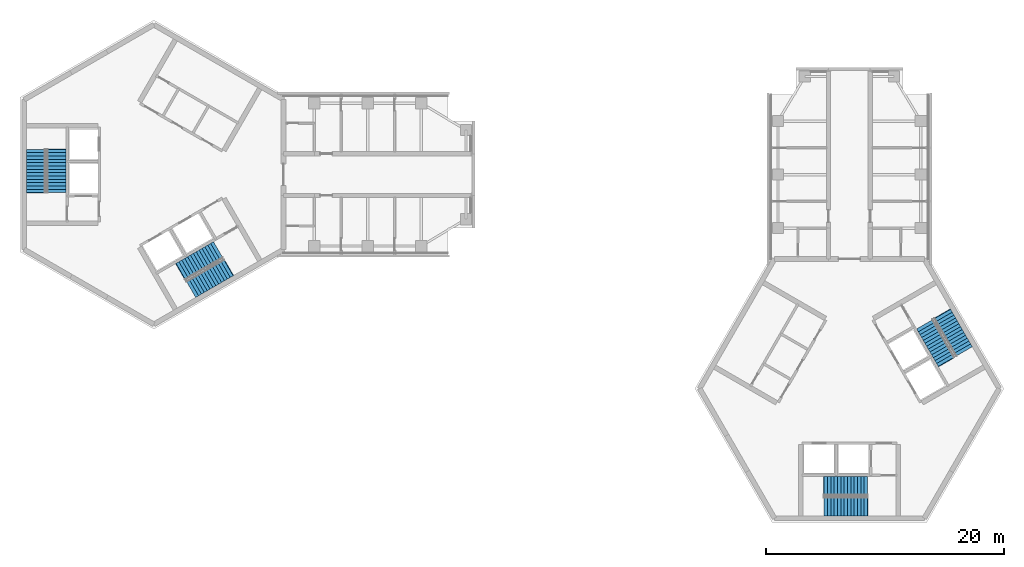
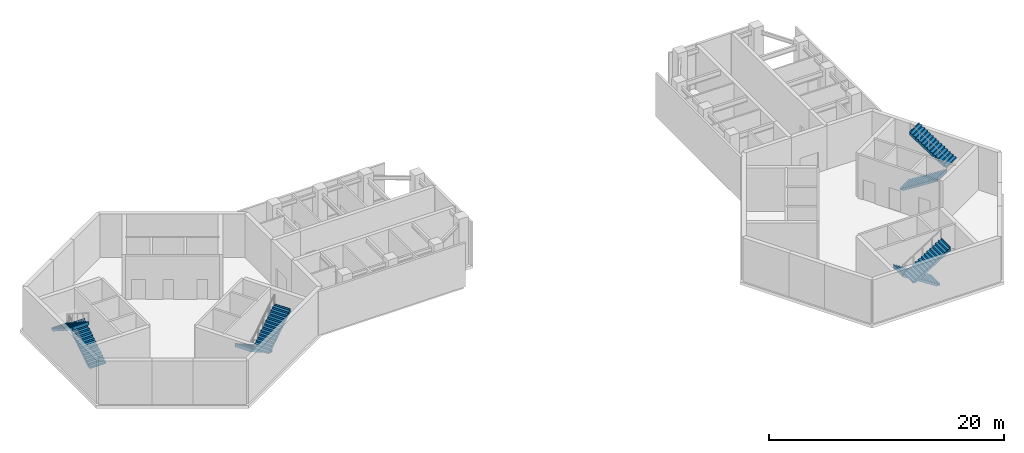
# One storey, part 7 of 8: 8 stair flights, 4 elements without a shape of their own.
"""IFC4 building model written with IfcOpenShell, lengths in metres."""

import ifcopenshell
import ifcopenshell.guid

model = None  # the IFC model being written
_history = None  # IfcOwnerHistory: only IFC2X3 demands one
_inside = {}  # id of a spatial element -> (the spatial element, [elements in it])
_under = {}  # id of a project, library or spatial element -> (it, [spatial elements below it])
_declared = {}  # id of a project -> (the project, [libraries it declares])
_typed = {}  # id of a type object -> (the type object, [elements of that type])
_made_of = {}  # id of a material, layer set ... -> (it, [elements and type objects made of it])


def new_model(schema):
    """Start an empty IFC model of exactly this schema.

    Asked for "IFC4X3", IfcOpenShell would pick the latest addendum, in which some entities
    have other attributes; the version numbers below select the first issue.
    IFC2X3 requires an IfcOwnerHistory on every rooted entity: one is made here for all.
    """
    global model, _history
    if schema == "IFC4X3":
        model = ifcopenshell.file(schema_version=(4, 3, 0, 0))
    else:
        model = ifcopenshell.file(schema=schema)
    _inside.clear()
    _under.clear()
    _declared.clear()
    _typed.clear()
    _made_of.clear()
    _history = None
    if model.schema == "IFC2X3":
        org = make("IfcOrganization", Name="unknown")
        user = make(
            "IfcPersonAndOrganization",
            ThePerson=make("IfcPerson", FamilyName="unknown"),
            TheOrganization=org,
        )
        app = make(
            "IfcApplication",
            ApplicationDeveloper=org,
            Version="unknown",
            ApplicationFullName="unknown",
            ApplicationIdentifier="unknown",
        )
        _history = make(
            "IfcOwnerHistory",
            OwningUser=user,
            OwningApplication=app,
            ChangeAction="ADDED",
            CreationDate=0,
        )
    return model


def make(cls, **values):
    """One entity of the class cls with the attributes given. An attribute that is None is left unset."""
    return model.create_entity(
        cls, **{name: value for name, value in values.items() if value is not None}
    )


def rooted(cls, **values):
    """An entity with a GlobalId (a new one), such as an element, a storey or a relation."""
    return make(cls, GlobalId=ifcopenshell.guid.new(), OwnerHistory=_history, **values)


def si_unit(unit_type, name, prefix=None):
    """IfcSIUnit, for example si_unit("LENGTHUNIT", "METRE", prefix="MILLI")."""
    return make("IfcSIUnit", UnitType=unit_type, Prefix=prefix, Name=name)


def assignment(units):
    """IfcUnitAssignment: the units of a project."""
    return None if units is None else make("IfcUnitAssignment", Units=units)


def point(xyz):
    """IfcCartesianPoint."""
    return None if xyz is None else make("IfcCartesianPoint", Coordinates=xyz)


def direction(xyz):
    """IfcDirection."""
    return None if xyz is None else make("IfcDirection", DirectionRatios=xyz)


def frame(location, z_axis=None, x_axis=None):
    """IfcAxis2Placement3D, a coordinate frame: its origin and axes. An axis left out is left unset."""
    return make(
        "IfcAxis2Placement3D",
        Location=point(location),
        Axis=direction(z_axis),
        RefDirection=direction(x_axis),
    )


def origin():
    """The frame at (0, 0, 0) with its axes left unset."""
    return frame((0.0, 0.0, 0.0))


def place(relative_to, where):
    """IfcLocalPlacement: puts the frame where relative to a parent placement (None: the world)."""
    return make(
        "IfcLocalPlacement", PlacementRelTo=relative_to, RelativePlacement=where
    )


def context(
    kind, dimensions, precision=None, world=None, true_north=None, identifier=None
):
    """IfcGeometricRepresentationContext, for example the 3D "Model" context."""
    return make(
        "IfcGeometricRepresentationContext",
        ContextIdentifier=identifier,
        ContextType=kind,
        CoordinateSpaceDimension=dimensions,
        Precision=precision,
        WorldCoordinateSystem=world,
        TrueNorth=true_north,
    )


def subcontext(parent, identifier, kind, view, scale=None):
    """IfcGeometricRepresentationSubContext, for example "Body" below "Model"."""
    return make(
        "IfcGeometricRepresentationSubContext",
        ContextIdentifier=identifier,
        ContextType=kind,
        ParentContext=parent,
        TargetScale=scale,
        TargetView=view,
    )


def project(units=None, contexts=None):
    """IfcProject with its units and contexts."""
    return rooted(
        "IfcProject",
        Name="project",
        RepresentationContexts=contexts,
        UnitsInContext=assignment(units),
    )


def spatial(cls, under=None, at=None, **own):
    """A site, building, storey or space (cls), placed at a placement, below another one or the project."""
    s = rooted(cls, ObjectPlacement=at, **own)
    if under is not None:
        _under.setdefault(under.id(), (under, []))[1].append(s)
    return s


def polyline(points):
    """IfcPolyline through the points."""
    return make("IfcPolyline", Points=[point(p) for p in points])


def outline(outer, holes=None, kind="AREA"):
    """IfcArbitraryClosedProfileDef: a profile drawn as a closed curve; with holes, ...WithVoids."""
    if holes is None:
        return make("IfcArbitraryClosedProfileDef", ProfileType=kind, OuterCurve=outer)
    return make(
        "IfcArbitraryProfileDefWithVoids",
        ProfileType=kind,
        OuterCurve=outer,
        InnerCurves=holes,
    )


def extrude(swept, where, along, depth):
    """IfcExtrudedAreaSolid: the profile swept, set in the frame where, extruded along a direction by depth."""
    return make(
        "IfcExtrudedAreaSolid",
        SweptArea=swept,
        Position=where,
        ExtrudedDirection=direction(along),
        Depth=depth,
    )


def shape(context_of_items, identifier, shape_type, items):
    """IfcShapeRepresentation: the items that make up one representation, for example the "Body"."""
    return make(
        "IfcShapeRepresentation",
        ContextOfItems=context_of_items,
        RepresentationIdentifier=identifier,
        RepresentationType=shape_type,
        Items=items,
    )


def material(Name=None, Category=None):
    """IfcMaterial."""
    return make("IfcMaterial", Name=Name, Category=Category)


def made_of(thing, what):
    """Note that an element or type object is made of a material, layer set ...; save() writes the relation."""
    if what is not None:
        _made_of.setdefault(what.id(), (what, []))[1].append(thing)
    return thing


def type_object(cls, material=None, **own):
    """A type object (cls), such as IfcWallType, which elements share."""
    return made_of(rooted(cls, **own), material)


def element(
    cls,
    number,
    at=None,
    inside=None,
    cuts=None,
    type_object=None,
    material=None,
    context=None,
    identifier="Body",
    shape_type=None,
    held_by="IfcProductDefinitionShape",
    body=None,
    shapes=None,
    **own,
):
    """One element of the class cls, such as IfcWall. Its Tag is "e" and its number.

    at: its placement. inside: the storey or other place that contains it. cuts: it is an
    opening in that element (IfcRelVoidsElement). A single representation is given by context,
    identifier, shape_type and body (its items); several are given by shapes. held_by: the class
    of the entity that holds the representations. save() writes the other relations.
    """
    e = rooted(cls, Tag="e%d" % number, ObjectPlacement=at, **own)
    if body is not None:
        shapes = [shape(context, identifier, shape_type, body)]
    if shapes is not None:
        e.Representation = make(held_by, Representations=shapes)
    if inside is not None:
        _inside.setdefault(inside.id(), (inside, []))[1].append(e)
    if cuts is not None:
        rooted(
            "IfcRelVoidsElement", RelatingBuildingElement=cuts, RelatedOpeningElement=e
        )
    if type_object is not None:
        _typed.setdefault(type_object.id(), (type_object, []))[1].append(e)
    return made_of(e, material)


def aggregate(whole, parts):
    """IfcRelAggregates: a whole, such as a stair, and the parts it consists of."""
    return rooted("IfcRelAggregates", RelatingObject=whole, RelatedObjects=parts)


def save(model, path):
    """Write the relations noted so far, then the file.

    IfcRelAggregates (storeys below a building ...), IfcRelContainedInSpatialStructure (elements
    in a storey), IfcRelDefinesByType, IfcRelAssociatesMaterial and IfcRelDeclares: one each for
    every whole, place, type object, material and project.
    """
    for whole, parts in _under.values():
        aggregate(whole, parts)
    for where, things in _inside.values():
        rooted(
            "IfcRelContainedInSpatialStructure",
            RelatedElements=things,
            RelatingStructure=where,
        )
    for kind, things in _typed.values():
        rooted("IfcRelDefinesByType", RelatedObjects=things, RelatingType=kind)
    for what, things in _made_of.values():
        rooted("IfcRelAssociatesMaterial", RelatedObjects=things, RelatingMaterial=what)
    for by, libraries in _declared.values():
        rooted("IfcRelDeclares", RelatingContext=by, RelatedDefinitions=libraries)
    model.write(path)


model = new_model("IFC4")

# Units and contexts
model_context = context("Model", 3, precision=1e-05, world=origin(), true_north=direction((0.0, 1.0)))
body_context = subcontext(model_context, "Body", "Model", "MODEL_VIEW")
ifc_project = project(units=[si_unit("LENGTHUNIT", "METRE"), si_unit("AREAUNIT", "SQUARE_METRE"), si_unit("VOLUMEUNIT", "CUBIC_METRE"), si_unit("PLANEANGLEUNIT", "RADIAN"), si_unit("MASSUNIT", "GRAM", prefix="KILO")], contexts=[model_context])

# Site, building, storey
site_placement = place(None, origin())
site = spatial("IfcSite", under=ifc_project, at=site_placement, CompositionType="ELEMENT")
building_placement = place(site_placement, origin())
building = spatial("IfcBuilding", under=site, at=building_placement, Name="Upepo Twin Towers", CompositionType="ELEMENT")
storey_placement = place(building_placement, frame((0.0, 0.0, 291.5)))
storey = spatial("IfcBuildingStorey", under=building, at=storey_placement, Name="L71", CompositionType="ELEMENT", Elevation=291.5)

# Stair, stair flights
ifc_material_1 = material(Name="Concrete C40/50", Category="concrete")
stair_type = type_object("IfcStairType", Name="Core stair, two flights", PredefinedType="HALF_TURN_STAIR", material=ifc_material_1)
stair_1_placement = place(storey_placement, origin())
stair_1 = element("IfcStair", 1, at=stair_1_placement, inside=storey, type_object=stair_type, Name="T1 stair S1 L71", PredefinedType="HALF_TURN_STAIR")
ifc_material_2 = material(Name="Concrete C40/50", Category="concrete")
stair_flight_type = type_object("IfcStairFlightType", Name="Stair flight 1600 RC", PredefinedType="STRAIGHT", material=ifc_material_2)
stair_flight_1_placement = place(storey_placement, frame((-8.199951171875, -1.52001953125, 0.0), z_axis=(0.0, 0.0, 1.0), x_axis=(0.0, 1.0, 0.0)))
stair_flight_1 = element("IfcStairFlight", 2, at=stair_flight_1_placement, type_object=stair_flight_type, Name="Stair S1 flight 1", NumberOfRisers=14, NumberOfTreads=13, PredefinedType="STRAIGHT", RiserHeight=0.178571429, TreadLength=0.28, context=body_context, shape_type="SweptSolid", body=[
    extrude(outline(polyline([(0.0, 0.0), (0.0, 0.178466796875), (0.280029296875, 0.178466796875), (0.280029296875, 0.357177734375), (0.56005859375, 0.357177734375), (0.56005859375, 0.53564453125), (0.840087890625, 0.53564453125), (0.840087890625, 0.71435546875), (1.1201171875, 0.71435546875), (1.1201171875, 0.892822265625), (1.39990234375, 0.892822265625), (1.39990234375, 1.071533203125), (1.679931640625, 1.071533203125), (1.679931640625, 1.25), (1.9599609375, 1.25), (1.9599609375, 1.428466796875), (2.239990234375, 1.428466796875), (2.239990234375, 1.607177734375), (2.52001953125, 1.607177734375), (2.52001953125, 1.78564453125), (2.800048828125, 1.78564453125), (2.800048828125, 1.96435546875), (3.080078125, 1.96435546875), (3.080078125, 2.142822265625), (3.360107421875, 2.142822265625), (3.360107421875, 2.321533203125), (3.639892578125, 2.321533203125), (3.639892578125, 2.5), (3.68994140625, 2.5), (3.68994140625, 2.1435546875), (0.328857421875, 0.0), (0.0, 0.0)])), frame((0.0, 0.800048828125, 0.0), z_axis=(0.0, -1.0, 0.0), x_axis=(1.0, 0.0, 0.0)), (0.0, 0.0, 1.0), 1.60009765625),
])
stair_flight_2_placement = place(storey_placement, frame((-9.908447265625, 2.1201171875, 2.5), z_axis=(0.0, 0.0, 1.0), x_axis=(0.0, -1.0, 0.0)))
stair_flight_2 = element("IfcStairFlight", 3, at=stair_flight_2_placement, type_object=stair_flight_type, Name="Stair S1 flight 2", NumberOfRisers=14, NumberOfTreads=13, PredefinedType="STRAIGHT", RiserHeight=0.178571429, TreadLength=0.28, context=body_context, shape_type="SweptSolid", body=[
    extrude(outline(polyline([(0.0, 0.0), (0.0, 0.178466796875), (0.280029296875, 0.178466796875), (0.280029296875, 0.357177734375), (0.56005859375, 0.357177734375), (0.56005859375, 0.53564453125), (0.840087890625, 0.53564453125), (0.840087890625, 0.71435546875), (1.1201171875, 0.71435546875), (1.1201171875, 0.892822265625), (1.39990234375, 0.892822265625), (1.39990234375, 1.071533203125), (1.679931640625, 1.071533203125), (1.679931640625, 1.25), (1.9599609375, 1.25), (1.9599609375, 1.428466796875), (2.239990234375, 1.428466796875), (2.239990234375, 1.607177734375), (2.52001953125, 1.607177734375), (2.52001953125, 1.78564453125), (2.800048828125, 1.78564453125), (2.800048828125, 1.96435546875), (3.080078125, 1.96435546875), (3.080078125, 2.142822265625), (3.360107421875, 2.142822265625), (3.360107421875, 2.321533203125), (3.639892578125, 2.321533203125), (3.639892578125, 2.5), (3.68994140625, 2.5), (3.68994140625, 2.1435546875), (0.328857421875, 0.0), (0.0, 0.0)])), frame((0.0, 0.800048828125, 0.0), z_axis=(0.0, -1.0, 0.0), x_axis=(1.0, 0.0, 0.0)), (0.0, 0.0, 1.0), 1.60009765625),
])
aggregate(stair_1, [stair_flight_1, stair_flight_2])

stair_2_placement = place(storey_placement, origin())
stair_2 = element("IfcStair", 4, at=stair_2_placement, inside=storey, type_object=stair_type, Name="T1 stair S2 L71", PredefinedType="HALF_TURN_STAIR")
stair_flight_3_placement = place(storey_placement, frame((5.416259765625, -6.34130859375, 0.0), z_axis=(0.0, 0.0, 1.0), x_axis=(-0.866025403784, -0.5, 0.0)))
stair_flight_3 = element("IfcStairFlight", 5, at=stair_flight_3_placement, type_object=stair_flight_type, Name="Stair S2 flight 1", NumberOfRisers=14, NumberOfTreads=13, PredefinedType="STRAIGHT", RiserHeight=0.178571429, TreadLength=0.28, context=body_context, shape_type="SweptSolid", body=[
    extrude(outline(polyline([(0.0, 0.0), (0.0, 0.178466796875), (0.280029296875, 0.178466796875), (0.280029296875, 0.357177734375), (0.56005859375, 0.357177734375), (0.56005859375, 0.53564453125), (0.840087890625, 0.53564453125), (0.840087890625, 0.71435546875), (1.1201171875, 0.71435546875), (1.1201171875, 0.892822265625), (1.39990234375, 0.892822265625), (1.39990234375, 1.071533203125), (1.679931640625, 1.071533203125), (1.679931640625, 1.25), (1.9599609375, 1.25), (1.9599609375, 1.428466796875), (2.239990234375, 1.428466796875), (2.239990234375, 1.607177734375), (2.52001953125, 1.607177734375), (2.52001953125, 1.78564453125), (2.800048828125, 1.78564453125), (2.800048828125, 1.96435546875), (3.080078125, 1.96435546875), (3.080078125, 2.142822265625), (3.360107421875, 2.142822265625), (3.360107421875, 2.321533203125), (3.639892578125, 2.321533203125), (3.639892578125, 2.5), (3.68994140625, 2.5), (3.68994140625, 2.1435546875), (0.328857421875, 0.0), (0.0, 0.0)])), frame((0.0, 0.800048828125, 0.0), z_axis=(0.0, -1.0, 0.0), x_axis=(1.0, 0.0, 0.0)), (0.0, 0.0, 1.0), 1.60009765625),
])
stair_flight_4_placement = place(storey_placement, frame((3.1181640625, -9.640869140625, 2.5), z_axis=(0.0, 0.0, 1.0), x_axis=(0.866025403784, 0.5, 0.0)))
stair_flight_4 = element("IfcStairFlight", 6, at=stair_flight_4_placement, type_object=stair_flight_type, Name="Stair S2 flight 2", NumberOfRisers=14, NumberOfTreads=13, PredefinedType="STRAIGHT", RiserHeight=0.178571429, TreadLength=0.28, context=body_context, shape_type="SweptSolid", body=[
    extrude(outline(polyline([(0.0, 0.0), (0.0, 0.178466796875), (0.280029296875, 0.178466796875), (0.280029296875, 0.357177734375), (0.56005859375, 0.357177734375), (0.56005859375, 0.53564453125), (0.840087890625, 0.53564453125), (0.840087890625, 0.71435546875), (1.1201171875, 0.71435546875), (1.1201171875, 0.892822265625), (1.39990234375, 0.892822265625), (1.39990234375, 1.071533203125), (1.679931640625, 1.071533203125), (1.679931640625, 1.25), (1.9599609375, 1.25), (1.9599609375, 1.428466796875), (2.239990234375, 1.428466796875), (2.239990234375, 1.607177734375), (2.52001953125, 1.607177734375), (2.52001953125, 1.78564453125), (2.800048828125, 1.78564453125), (2.800048828125, 1.96435546875), (3.080078125, 1.96435546875), (3.080078125, 2.142822265625), (3.360107421875, 2.142822265625), (3.360107421875, 2.321533203125), (3.639892578125, 2.321533203125), (3.639892578125, 2.5), (3.68994140625, 2.5), (3.68994140625, 2.1435546875), (0.328857421875, 0.0), (0.0, 0.0)])), frame((0.0, 0.800048828125, 0.0), z_axis=(0.0, -1.0, 0.0), x_axis=(1.0, 0.0, 0.0)), (0.0, 0.0, 1.0), 1.60009765625),
])
aggregate(stair_2, [stair_flight_3, stair_flight_4])

stair_3_placement = place(storey_placement, origin())
stair_3 = element("IfcStair", 7, at=stair_3_placement, inside=storey, type_object=stair_type, Name="T2 stair S1 L71", PredefinedType="HALF_TURN_STAIR")
stair_flight_5_placement = place(storey_placement, frame((60.02001953125, -26.199951171875, 0.0), z_axis=(0.0, 0.0, 1.0), x_axis=(-1.0, 0.0, 0.0)))
stair_flight_5 = element("IfcStairFlight", 8, at=stair_flight_5_placement, type_object=stair_flight_type, Name="Stair S1 flight 1", NumberOfRisers=14, NumberOfTreads=13, PredefinedType="STRAIGHT", RiserHeight=0.178571429, TreadLength=0.28, context=body_context, shape_type="SweptSolid", body=[
    extrude(outline(polyline([(0.0, 0.0), (0.0, 0.178466796875), (0.280029296875, 0.178466796875), (0.280029296875, 0.357177734375), (0.56005859375, 0.357177734375), (0.56005859375, 0.53564453125), (0.840087890625, 0.53564453125), (0.840087890625, 0.71435546875), (1.1201171875, 0.71435546875), (1.1201171875, 0.892822265625), (1.39990234375, 0.892822265625), (1.39990234375, 1.071533203125), (1.679931640625, 1.071533203125), (1.679931640625, 1.25), (1.9599609375, 1.25), (1.9599609375, 1.428466796875), (2.239990234375, 1.428466796875), (2.239990234375, 1.607177734375), (2.52001953125, 1.607177734375), (2.52001953125, 1.78564453125), (2.800048828125, 1.78564453125), (2.800048828125, 1.96435546875), (3.080078125, 1.96435546875), (3.080078125, 2.142822265625), (3.360107421875, 2.142822265625), (3.360107421875, 2.321533203125), (3.639892578125, 2.321533203125), (3.639892578125, 2.5), (3.68994140625, 2.5), (3.68994140625, 2.1435546875), (0.328857421875, 0.0), (0.0, 0.0)])), frame((0.0, 0.800048828125, 0.0), z_axis=(0.0, -1.0, 0.0), x_axis=(1.0, 0.0, 0.0)), (0.0, 0.0, 1.0), 1.60009765625),
])
stair_flight_6_placement = place(storey_placement, frame((56.3798828125, -27.908447265625, 2.5), z_axis=(0.0, 0.0, 1.0), x_axis=(1.0, 0.0, 0.0)))
stair_flight_6 = element("IfcStairFlight", 9, at=stair_flight_6_placement, type_object=stair_flight_type, Name="Stair S1 flight 2", NumberOfRisers=14, NumberOfTreads=13, PredefinedType="STRAIGHT", RiserHeight=0.178571429, TreadLength=0.28, context=body_context, shape_type="SweptSolid", body=[
    extrude(outline(polyline([(0.0, 0.0), (0.0, 0.178466796875), (0.280029296875, 0.178466796875), (0.280029296875, 0.357177734375), (0.56005859375, 0.357177734375), (0.56005859375, 0.53564453125), (0.840087890625, 0.53564453125), (0.840087890625, 0.71435546875), (1.1201171875, 0.71435546875), (1.1201171875, 0.892822265625), (1.39990234375, 0.892822265625), (1.39990234375, 1.071533203125), (1.679931640625, 1.071533203125), (1.679931640625, 1.25), (1.9599609375, 1.25), (1.9599609375, 1.428466796875), (2.239990234375, 1.428466796875), (2.239990234375, 1.607177734375), (2.52001953125, 1.607177734375), (2.52001953125, 1.78564453125), (2.800048828125, 1.78564453125), (2.800048828125, 1.96435546875), (3.080078125, 1.96435546875), (3.080078125, 2.142822265625), (3.360107421875, 2.142822265625), (3.360107421875, 2.321533203125), (3.639892578125, 2.321533203125), (3.639892578125, 2.5), (3.68994140625, 2.5), (3.68994140625, 2.1435546875), (0.328857421875, 0.0), (0.0, 0.0)])), frame((0.0, 0.800048828125, 0.0), z_axis=(0.0, -1.0, 0.0), x_axis=(1.0, 0.0, 0.0)), (0.0, 0.0, 1.0), 1.60009765625),
])
aggregate(stair_3, [stair_flight_5, stair_flight_6])

stair_4_placement = place(storey_placement, origin())
stair_4 = element("IfcStair", 10, at=stair_4_placement, inside=storey, type_object=stair_type, Name="T2 stair S2 L71", PredefinedType="HALF_TURN_STAIR")
stair_flight_7_placement = place(storey_placement, frame((64.84130859375, -12.583740234375, 0.0), z_axis=(0.0, 0.0, 1.0), x_axis=(0.5, -0.866025403784, 0.0)))
stair_flight_7 = element("IfcStairFlight", 11, at=stair_flight_7_placement, type_object=stair_flight_type, Name="Stair S2 flight 1", NumberOfRisers=14, NumberOfTreads=13, PredefinedType="STRAIGHT", RiserHeight=0.178571429, TreadLength=0.28, context=body_context, shape_type="SweptSolid", body=[
    extrude(outline(polyline([(0.0, 0.0), (0.0, 0.178466796875), (0.280029296875, 0.178466796875), (0.280029296875, 0.357177734375), (0.56005859375, 0.357177734375), (0.56005859375, 0.53564453125), (0.840087890625, 0.53564453125), (0.840087890625, 0.71435546875), (1.1201171875, 0.71435546875), (1.1201171875, 0.892822265625), (1.39990234375, 0.892822265625), (1.39990234375, 1.071533203125), (1.679931640625, 1.071533203125), (1.679931640625, 1.25), (1.9599609375, 1.25), (1.9599609375, 1.428466796875), (2.239990234375, 1.428466796875), (2.239990234375, 1.607177734375), (2.52001953125, 1.607177734375), (2.52001953125, 1.78564453125), (2.800048828125, 1.78564453125), (2.800048828125, 1.96435546875), (3.080078125, 1.96435546875), (3.080078125, 2.142822265625), (3.360107421875, 2.142822265625), (3.360107421875, 2.321533203125), (3.639892578125, 2.321533203125), (3.639892578125, 2.5), (3.68994140625, 2.5), (3.68994140625, 2.1435546875), (0.328857421875, 0.0), (0.0, 0.0)])), frame((0.0, 0.800048828125, 0.0), z_axis=(0.0, -1.0, 0.0), x_axis=(1.0, 0.0, 0.0)), (0.0, 0.0, 1.0), 1.60009765625),
])
stair_flight_8_placement = place(storey_placement, frame((68.140869140625, -14.8818359375, 2.5), z_axis=(0.0, 0.0, 1.0), x_axis=(-0.5, 0.866025403784, 0.0)))
stair_flight_8 = element("IfcStairFlight", 12, at=stair_flight_8_placement, type_object=stair_flight_type, Name="Stair S2 flight 2", NumberOfRisers=14, NumberOfTreads=13, PredefinedType="STRAIGHT", RiserHeight=0.178571429, TreadLength=0.28, context=body_context, shape_type="SweptSolid", body=[
    extrude(outline(polyline([(0.0, 0.0), (0.0, 0.178466796875), (0.280029296875, 0.178466796875), (0.280029296875, 0.357177734375), (0.56005859375, 0.357177734375), (0.56005859375, 0.53564453125), (0.840087890625, 0.53564453125), (0.840087890625, 0.71435546875), (1.1201171875, 0.71435546875), (1.1201171875, 0.892822265625), (1.39990234375, 0.892822265625), (1.39990234375, 1.071533203125), (1.679931640625, 1.071533203125), (1.679931640625, 1.25), (1.9599609375, 1.25), (1.9599609375, 1.428466796875), (2.239990234375, 1.428466796875), (2.239990234375, 1.607177734375), (2.52001953125, 1.607177734375), (2.52001953125, 1.78564453125), (2.800048828125, 1.78564453125), (2.800048828125, 1.96435546875), (3.080078125, 1.96435546875), (3.080078125, 2.142822265625), (3.360107421875, 2.142822265625), (3.360107421875, 2.321533203125), (3.639892578125, 2.321533203125), (3.639892578125, 2.5), (3.68994140625, 2.5), (3.68994140625, 2.1435546875), (0.328857421875, 0.0), (0.0, 0.0)])), frame((0.0, 0.800048828125, 0.0), z_axis=(0.0, -1.0, 0.0), x_axis=(1.0, 0.0, 0.0)), (0.0, 0.0, 1.0), 1.60009765625),
])
aggregate(stair_4, [stair_flight_7, stair_flight_8])

save(model, "model.ifc")
